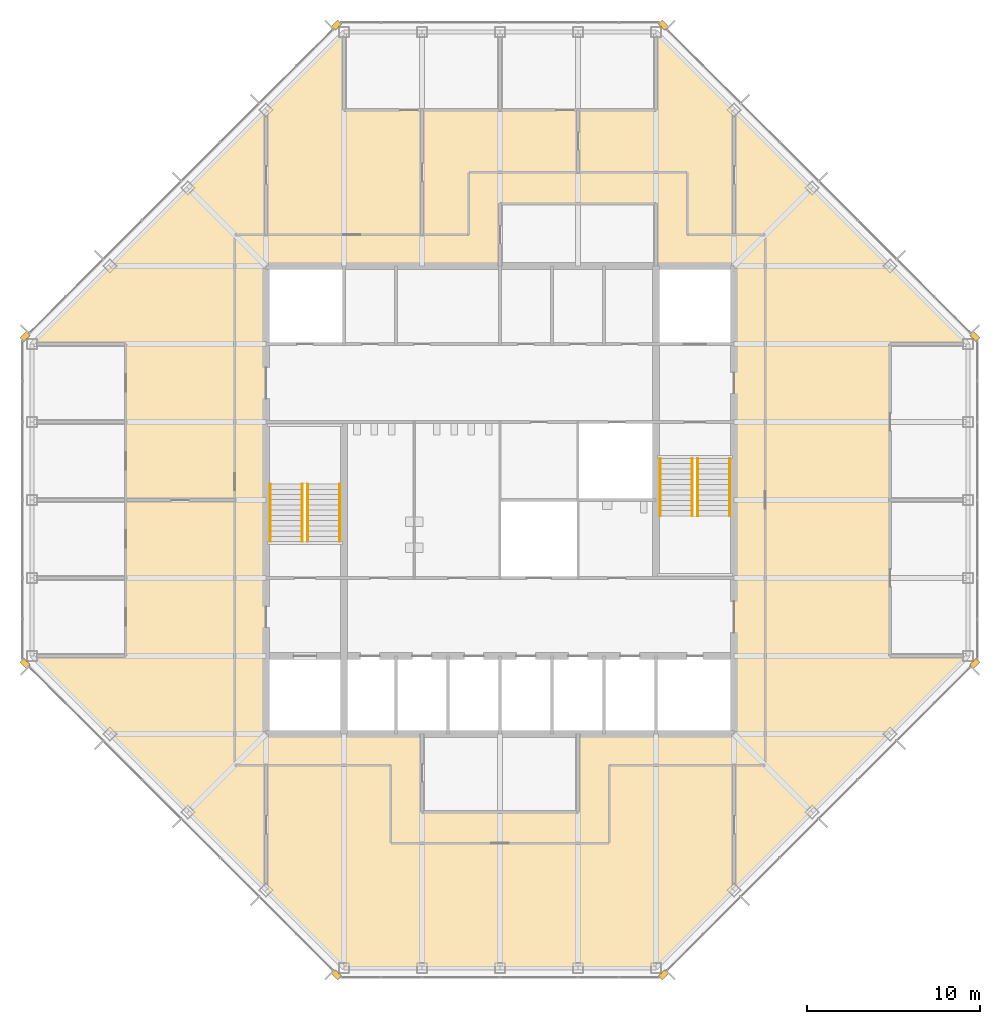
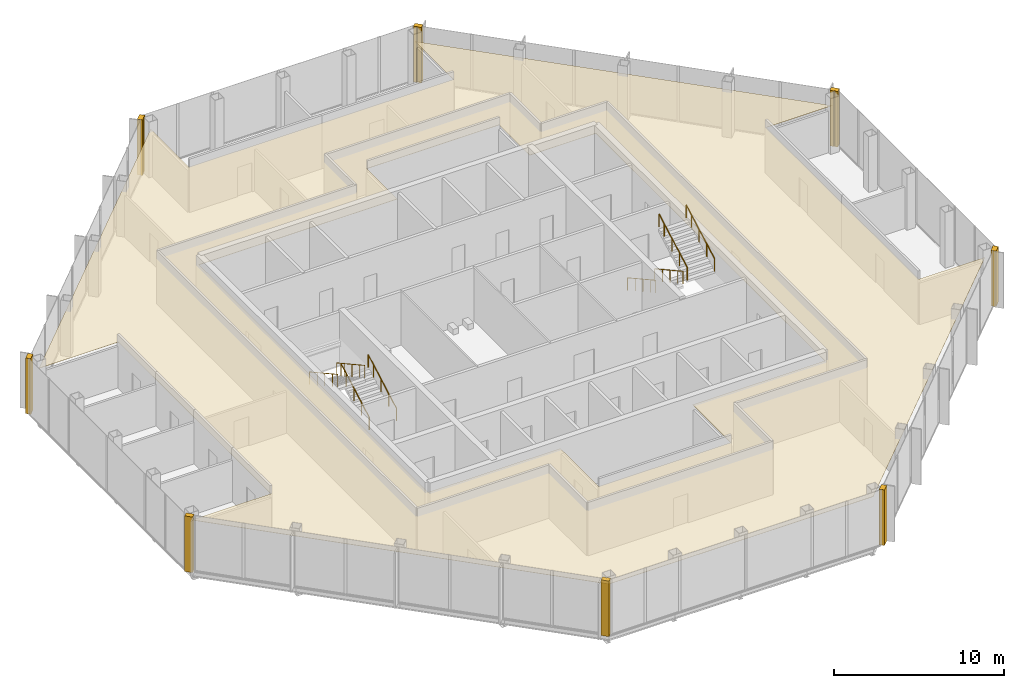
# One storey, part 13 of 14: 9 coverings, 8 railings.
"""IFC4 building model written with IfcOpenShell, lengths in metres."""

from ifc_helpers import new_model, si_unit, direction, frame, origin, origin_2d, place, context, subcontext, project, spatial, polyline, circle, outline, extrude, material, layer, layer_set, type_object, element, save


model = new_model("IFC4")

# Units and contexts
model_context = context("Model", 3, precision=1e-05, world=origin(), true_north=direction((0.0, 1.0)))
body_context = subcontext(model_context, "Body", "Model", "MODEL_VIEW")
ifc_project = project(units=[si_unit("LENGTHUNIT", "METRE"), si_unit("AREAUNIT", "SQUARE_METRE"), si_unit("VOLUMEUNIT", "CUBIC_METRE"), si_unit("PLANEANGLEUNIT", "RADIAN"), si_unit("MASSUNIT", "GRAM", prefix="KILO")], contexts=[model_context])

# Site, building, storey
site_placement = place(None, origin())
site = spatial("IfcSite", under=ifc_project, at=site_placement, CompositionType="ELEMENT")
building_placement = place(site_placement, origin())
building = spatial("IfcBuilding", under=site, at=building_placement, Name="Corais Broadcast Tower", CompositionType="ELEMENT")
storey_placement = place(building_placement, frame((0.0, 0.0, 266.60009765625)))
storey = spatial("IfcBuildingStorey", under=building, at=storey_placement, Name="L62", CompositionType="ELEMENT", Elevation=266.60009765625)

# Railings
ifc_material_1 = material(Name="Stainless steel handrail", Category="steel")
railing_type = type_object("IfcRailingType", Name="Handrail 920", PredefinedType="HANDRAIL", material=ifc_material_1)
for number, where, name in (
    (1, (17.75, 24.60009765625, 0.16650390625), "HR1 L62"),
    (2, (15.89990234375, 24.60009765625, 0.16650390625), "HR1 L62"),
):
    element("IfcRailing", number, at=place(storey_placement, frame(where)), inside=storey, type_object=railing_type, Name=name, PredefinedType="HANDRAIL", context=body_context, shape_type="SweptSolid", body=[
        extrude(circle(Radius=0.02392578125, at=origin_2d()), frame((0.0, 0.0, 0.89599609375), z_axis=(0.0, 0.875504475178, 0.483210010185), x_axis=(-1.0, 0.0, 0.0)), (0.0, 0.0, 1.0), 3.79443359375),
        extrude(circle(Radius=0.02099609375, at=origin_2d()), origin(), (0.0, 0.0, 1.0), 0.871826171875),
        extrude(circle(Radius=0.02099609375, at=origin_2d()), frame((0.0, 0.906005859375, 0.5)), (0.0, 0.0, 1.0), 0.871826171875),
        extrude(circle(Radius=0.02099609375, at=origin_2d()), frame((0.0, 1.81201171875, 1.0)), (0.0, 0.0, 1.0), 0.871826171875),
        extrude(circle(Radius=0.02099609375, at=origin_2d()), frame((0.0, 2.718017578125, 1.500244140625)), (0.0, 0.0, 1.0), 0.871826171875),
        extrude(circle(Radius=0.02099609375, at=origin_2d()), frame((0.0, 3.322021484375, 1.83349609375)), (0.0, 0.0, 1.0), 0.871826171875),
    ])
for number, where, name in (
    (3, (13.75, 27.922119140625, 2.16650390625), "HR1 L62"),
    (4, (15.60009765625, 27.922119140625, 2.16650390625), "HR1 L62"),
    (5, (36.25, 29.39990234375, 0.16650390625), "HR1 L62"),
    (6, (38.10009765625, 29.39990234375, 0.16650390625), "HR1 L62"),
):
    element("IfcRailing", number, at=place(storey_placement, frame(where)), inside=storey, type_object=railing_type, Name=name, PredefinedType="HANDRAIL", context=body_context, shape_type="SweptSolid", body=[
        extrude(circle(Radius=0.02392578125, at=origin_2d()), frame((0.0, 0.0, 0.89599609375), z_axis=(0.0, -0.875504475178, 0.483210010185), x_axis=(1.0, 0.0, 0.0)), (0.0, 0.0, 1.0), 3.79443359375),
        extrude(circle(Radius=0.02099609375, at=origin_2d()), origin(), (0.0, 0.0, 1.0), 0.871826171875),
        extrude(circle(Radius=0.02099609375, at=origin_2d()), frame((0.0, -0.906005859375, 0.5)), (0.0, 0.0, 1.0), 0.871826171875),
        extrude(circle(Radius=0.02099609375, at=origin_2d()), frame((0.0, -1.81201171875, 1.0)), (0.0, 0.0, 1.0), 0.871826171875),
        extrude(circle(Radius=0.02099609375, at=origin_2d()), frame((0.0, -2.718017578125, 1.500244140625)), (0.0, 0.0, 1.0), 0.871826171875),
        extrude(circle(Radius=0.02099609375, at=origin_2d()), frame((0.0, -3.322021484375, 1.83349609375)), (0.0, 0.0, 1.0), 0.871826171875),
    ])
for number, where, name in (
    (7, (40.25, 26.077880859375, 2.16650390625), "HR1 L62"),
    (8, (38.39990234375, 26.077880859375, 2.16650390625), "HR1 L62"),
):
    element("IfcRailing", number, at=place(storey_placement, frame(where)), inside=storey, type_object=railing_type, Name=name, PredefinedType="HANDRAIL", context=body_context, shape_type="SweptSolid", body=[
        extrude(circle(Radius=0.02392578125, at=origin_2d()), frame((0.0, 0.0, 0.89599609375), z_axis=(0.0, 0.875504475178, 0.483210010185), x_axis=(-1.0, 0.0, 0.0)), (0.0, 0.0, 1.0), 3.79443359375),
        extrude(circle(Radius=0.02099609375, at=origin_2d()), origin(), (0.0, 0.0, 1.0), 0.871826171875),
        extrude(circle(Radius=0.02099609375, at=origin_2d()), frame((0.0, 0.906005859375, 0.5)), (0.0, 0.0, 1.0), 0.871826171875),
        extrude(circle(Radius=0.02099609375, at=origin_2d()), frame((0.0, 1.81201171875, 1.0)), (0.0, 0.0, 1.0), 0.871826171875),
        extrude(circle(Radius=0.02099609375, at=origin_2d()), frame((0.0, 2.718017578125, 1.500244140625)), (0.0, 0.0, 1.0), 0.871826171875),
        extrude(circle(Radius=0.02099609375, at=origin_2d()), frame((0.0, 3.322021484375, 1.83349609375)), (0.0, 0.0, 1.0), 0.871826171875),
    ])

# Coverings
ifc_material_2 = material(Name="Granite stone cladding", Category="masonry")
ifc_layer_1 = layer(ifc_material_2, 0.324951171875)
ifc_layer_set_1 = layer_set([ifc_layer_1], Name="Granite stone cladding")
covering_type_1 = type_object("IfcCoveringType", Name="Stone corner pier cladding 500x325", PredefinedType="CLADDING", material=ifc_layer_set_1)
covering_1_placement = place(storey_placement, origin())
element("IfcCovering", 9, at=covering_1_placement, inside=storey, type_object=covering_type_1, Name="SP1 stone corner pier L62", PredefinedType="CLADDING", context=body_context, shape_type="SweptSolid", body=[
    extrude(outline(polyline([(17.860595703125, -0.461669921875), (17.72412109375, -0.324951171875), (17.675048828125, -0.324951171875), (17.675048828125, -0.27587890625), (17.507080078125, -0.108154296875), (17.277099609375, -0.337890625), (17.630859375, -0.69140625), (17.860595703125, -0.461669921875)])), origin(), (0.0, 0.0, 1.0), 4.0),
])
covering_2_placement = place(storey_placement, origin())
element("IfcCovering", 10, at=covering_2_placement, inside=storey, type_object=covering_type_1, Name="SP1 stone corner pier L62", PredefinedType="CLADDING", context=body_context, shape_type="SweptSolid", body=[
    extrude(outline(polyline([(-0.324951171875, 17.72412109375), (-0.461669921875, 17.860595703125), (-0.69140625, 17.630859375), (-0.337890625, 17.277099609375), (-0.108154296875, 17.507080078125), (-0.27587890625, 17.675048828125), (-0.324951171875, 17.675048828125), (-0.324951171875, 17.72412109375)])), origin(), (0.0, 0.0, 1.0), 4.0),
])
covering_3_placement = place(storey_placement, origin())
element("IfcCovering", 11, at=covering_3_placement, inside=storey, type_object=covering_type_1, Name="SP1 stone corner pier L62", PredefinedType="CLADDING", context=body_context, shape_type="SweptSolid", body=[
    extrude(outline(polyline([(-0.461669921875, 36.139404296875), (-0.324951171875, 36.27587890625), (-0.324951171875, 36.324951171875), (-0.27587890625, 36.324951171875), (-0.108154296875, 36.492919921875), (-0.337890625, 36.722900390625), (-0.69140625, 36.369140625), (-0.461669921875, 36.139404296875)])), origin(), (0.0, 0.0, 1.0), 4.0),
])
covering_4_placement = place(storey_placement, origin())
element("IfcCovering", 12, at=covering_4_placement, inside=storey, type_object=covering_type_1, Name="SP1 stone corner pier L62", PredefinedType="CLADDING", context=body_context, shape_type="SweptSolid", body=[
    extrude(outline(polyline([(17.72412109375, 54.324951171875), (17.860595703125, 54.461669921875), (17.630859375, 54.69140625), (17.277099609375, 54.337890625), (17.507080078125, 54.108154296875), (17.675048828125, 54.27587890625), (17.675048828125, 54.324951171875), (17.72412109375, 54.324951171875)])), origin(), (0.0, 0.0, 1.0), 4.0),
])
covering_5_placement = place(storey_placement, origin())
element("IfcCovering", 13, at=covering_5_placement, inside=storey, type_object=covering_type_1, Name="SP1 stone corner pier L62", PredefinedType="CLADDING", context=body_context, shape_type="SweptSolid", body=[
    extrude(outline(polyline([(36.139404296875, 54.461669921875), (36.27587890625, 54.324951171875), (36.324951171875, 54.324951171875), (36.324951171875, 54.27587890625), (36.492919921875, 54.108154296875), (36.722900390625, 54.337890625), (36.369140625, 54.69140625), (36.139404296875, 54.461669921875)])), origin(), (0.0, 0.0, 1.0), 4.0),
])
covering_6_placement = place(storey_placement, origin())
element("IfcCovering", 14, at=covering_6_placement, inside=storey, type_object=covering_type_1, Name="SP1 stone corner pier L62", PredefinedType="CLADDING", context=body_context, shape_type="SweptSolid", body=[
    extrude(outline(polyline([(54.324951171875, 36.27587890625), (54.461669921875, 36.139404296875), (54.69140625, 36.369140625), (54.337890625, 36.722900390625), (54.108154296875, 36.492919921875), (54.27587890625, 36.324951171875), (54.324951171875, 36.324951171875), (54.324951171875, 36.27587890625)])), origin(), (0.0, 0.0, 1.0), 4.0),
])
covering_7_placement = place(storey_placement, origin())
element("IfcCovering", 15, at=covering_7_placement, inside=storey, type_object=covering_type_1, Name="SP1 stone corner pier L62", PredefinedType="CLADDING", context=body_context, shape_type="SweptSolid", body=[
    extrude(outline(polyline([(54.461669921875, 17.860595703125), (54.324951171875, 17.72412109375), (54.324951171875, 17.675048828125), (54.27587890625, 17.675048828125), (54.108154296875, 17.507080078125), (54.337890625, 17.277099609375), (54.69140625, 17.630859375), (54.461669921875, 17.860595703125)])), origin(), (0.0, 0.0, 1.0), 4.0),
])
covering_8_placement = place(storey_placement, origin())
element("IfcCovering", 16, at=covering_8_placement, inside=storey, type_object=covering_type_1, Name="SP1 stone corner pier L62", PredefinedType="CLADDING", context=body_context, shape_type="SweptSolid", body=[
    extrude(outline(polyline([(36.27587890625, -0.324951171875), (36.139404296875, -0.461669921875), (36.369140625, -0.69140625), (36.722900390625, -0.337890625), (36.492919921875, -0.108154296875), (36.324951171875, -0.27587890625), (36.324951171875, -0.324951171875), (36.27587890625, -0.324951171875)])), origin(), (0.0, 0.0, 1.0), 4.0),
])
ifc_material_3 = material(Name="Mineral fibre ceiling tile", Category="mineral")
ifc_layer_2 = layer(ifc_material_3, 0.02001953125)
ifc_layer_set_2 = layer_set([ifc_layer_2], Name="Mineral fibre ceiling tile")
covering_type_2 = type_object("IfcCoveringType", Name="Suspended ceiling", PredefinedType="CEILING", material=ifc_layer_set_2)
covering_9_placement = place(storey_placement, frame((0.0, 0.0, 3.219970703125)))
element("IfcCovering", 17, at=covering_9_placement, inside=storey, type_object=covering_type_2, Name="CE1 ceiling L62", PredefinedType="CEILING", context=body_context, shape_type="SweptSolid", body=[
    extrude(outline(polyline([(13.5, 49.5), (18.0, 54.0), (18.0, 49.5), (36.0, 49.5), (36.0, 54.0), (54.0, 36.0), (49.5, 36.0), (49.5, 18.0), (54.0, 18.0), (40.500244140625, 4.500244140625), (36.0, 0.0), (18.0, 0.0), (13.501708984375, 4.498291015625), (13.50048828125, 4.49951171875), (13.499755859375, 4.500244140625), (0.0, 18.0), (5.39990234375, 18.0), (5.39990234375, 36.0), (0.0, 36.0), (13.5, 49.5)]), holes=[polyline([(36.0, 40.5), (36.0, 44.10009765625), (27.0, 44.10009765625), (27.0, 40.5), (13.5, 40.5), (13.5, 13.5), (22.5, 13.5), (22.5, 9.0), (31.5, 9.0), (31.5, 13.5), (40.5, 13.5), (40.5, 40.5), (36.0, 40.5)])]), origin(), (0.0, 0.0, 1.0), 0.02001953125),
])

save(model, "model.ifc")
